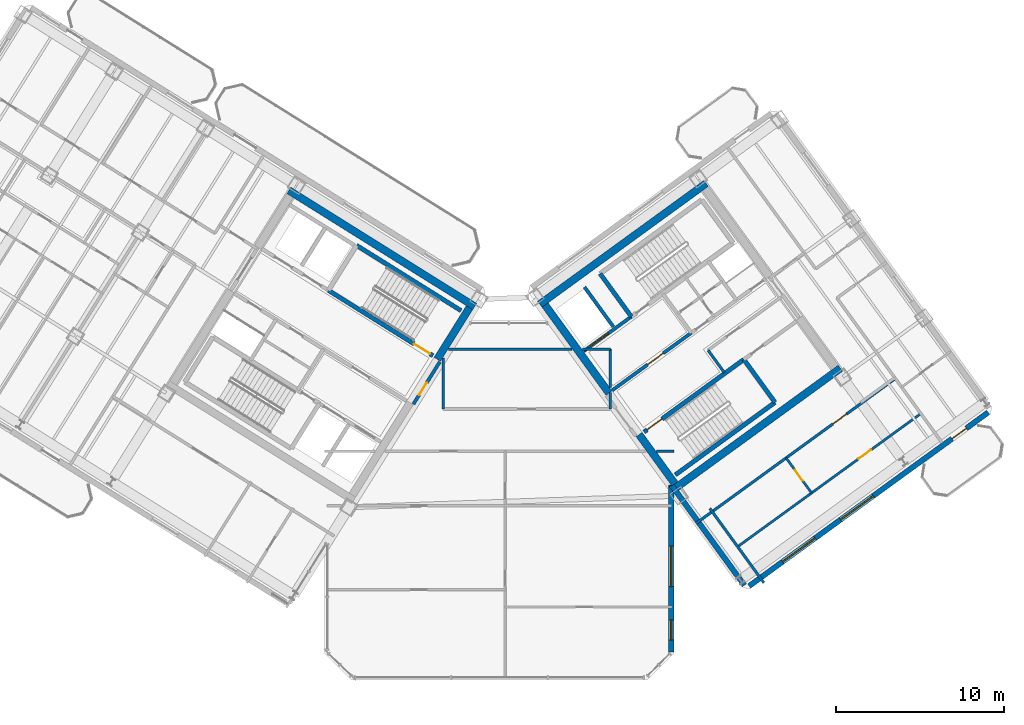
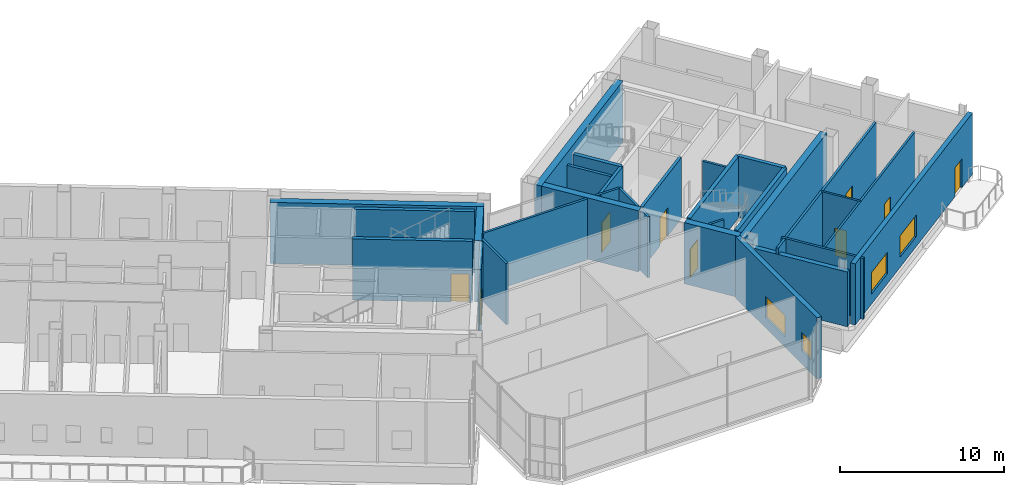
# One storey, part 19 of 26: 30 walls, 9 doors, 4 windows, 13 openings.
"""IFC4 building model written with IfcOpenShell, lengths in metres."""

import ifcopenshell
import ifcopenshell.guid

model = None  # the IFC model being written
_history = None  # IfcOwnerHistory: only IFC2X3 demands one
_inside = {}  # id of a spatial element -> (the spatial element, [elements in it])
_under = {}  # id of a project, library or spatial element -> (it, [spatial elements below it])
_declared = {}  # id of a project -> (the project, [libraries it declares])
_typed = {}  # id of a type object -> (the type object, [elements of that type])
_made_of = {}  # id of a material, layer set ... -> (it, [elements and type objects made of it])


def new_model(schema):
    """Start an empty IFC model of exactly this schema.

    Asked for "IFC4X3", IfcOpenShell would pick the latest addendum, in which some entities
    have other attributes; the version numbers below select the first issue.
    IFC2X3 requires an IfcOwnerHistory on every rooted entity: one is made here for all.
    """
    global model, _history
    if schema == "IFC4X3":
        model = ifcopenshell.file(schema_version=(4, 3, 0, 0))
    else:
        model = ifcopenshell.file(schema=schema)
    _inside.clear()
    _under.clear()
    _declared.clear()
    _typed.clear()
    _made_of.clear()
    _history = None
    if model.schema == "IFC2X3":
        org = make("IfcOrganization", Name="unknown")
        user = make(
            "IfcPersonAndOrganization",
            ThePerson=make("IfcPerson", FamilyName="unknown"),
            TheOrganization=org,
        )
        app = make(
            "IfcApplication",
            ApplicationDeveloper=org,
            Version="unknown",
            ApplicationFullName="unknown",
            ApplicationIdentifier="unknown",
        )
        _history = make(
            "IfcOwnerHistory",
            OwningUser=user,
            OwningApplication=app,
            ChangeAction="ADDED",
            CreationDate=0,
        )
    return model


def make(cls, **values):
    """One entity of the class cls with the attributes given. An attribute that is None is left unset."""
    return model.create_entity(
        cls, **{name: value for name, value in values.items() if value is not None}
    )


def rooted(cls, **values):
    """An entity with a GlobalId (a new one), such as an element, a storey or a relation."""
    return make(cls, GlobalId=ifcopenshell.guid.new(), OwnerHistory=_history, **values)


def si_unit(unit_type, name, prefix=None):
    """IfcSIUnit, for example si_unit("LENGTHUNIT", "METRE", prefix="MILLI")."""
    return make("IfcSIUnit", UnitType=unit_type, Prefix=prefix, Name=name)


def assignment(units):
    """IfcUnitAssignment: the units of a project."""
    return None if units is None else make("IfcUnitAssignment", Units=units)


def point(xyz):
    """IfcCartesianPoint."""
    return None if xyz is None else make("IfcCartesianPoint", Coordinates=xyz)


def direction(xyz):
    """IfcDirection."""
    return None if xyz is None else make("IfcDirection", DirectionRatios=xyz)


def frame(location, z_axis=None, x_axis=None):
    """IfcAxis2Placement3D, a coordinate frame: its origin and axes. An axis left out is left unset."""
    return make(
        "IfcAxis2Placement3D",
        Location=point(location),
        Axis=direction(z_axis),
        RefDirection=direction(x_axis),
    )


def frame_2d(location, x_axis=None):
    """IfcAxis2Placement2D, a coordinate frame in the plane: its origin and x axis."""
    return make(
        "IfcAxis2Placement2D", Location=point(location), RefDirection=direction(x_axis)
    )


def origin():
    """The frame at (0, 0, 0) with its axes left unset."""
    return frame((0.0, 0.0, 0.0))


def place(relative_to, where):
    """IfcLocalPlacement: puts the frame where relative to a parent placement (None: the world)."""
    return make(
        "IfcLocalPlacement", PlacementRelTo=relative_to, RelativePlacement=where
    )


def context(
    kind, dimensions, precision=None, world=None, true_north=None, identifier=None
):
    """IfcGeometricRepresentationContext, for example the 3D "Model" context."""
    return make(
        "IfcGeometricRepresentationContext",
        ContextIdentifier=identifier,
        ContextType=kind,
        CoordinateSpaceDimension=dimensions,
        Precision=precision,
        WorldCoordinateSystem=world,
        TrueNorth=true_north,
    )


def subcontext(parent, identifier, kind, view, scale=None):
    """IfcGeometricRepresentationSubContext, for example "Body" below "Model"."""
    return make(
        "IfcGeometricRepresentationSubContext",
        ContextIdentifier=identifier,
        ContextType=kind,
        ParentContext=parent,
        TargetScale=scale,
        TargetView=view,
    )


def project(units=None, contexts=None):
    """IfcProject with its units and contexts."""
    return rooted(
        "IfcProject",
        Name="project",
        RepresentationContexts=contexts,
        UnitsInContext=assignment(units),
    )


def spatial(cls, under=None, at=None, **own):
    """A site, building, storey or space (cls), placed at a placement, below another one or the project."""
    s = rooted(cls, ObjectPlacement=at, **own)
    if under is not None:
        _under.setdefault(under.id(), (under, []))[1].append(s)
    return s


def profile(cls, at=None, kind="AREA", **sizes):
    """A parametric profile (cls). Its sizes go by their IFC names, for example OverallWidth=200.0."""
    return make(cls, ProfileType=kind, Position=at, **sizes)


def rectangle(**sizes):
    """IfcRectangleProfileDef."""
    return profile("IfcRectangleProfileDef", **sizes)


def extrude(swept, where, along, depth):
    """IfcExtrudedAreaSolid: the profile swept, set in the frame where, extruded along a direction by depth."""
    return make(
        "IfcExtrudedAreaSolid",
        SweptArea=swept,
        Position=where,
        ExtrudedDirection=direction(along),
        Depth=depth,
    )


def shape(context_of_items, identifier, shape_type, items):
    """IfcShapeRepresentation: the items that make up one representation, for example the "Body"."""
    return make(
        "IfcShapeRepresentation",
        ContextOfItems=context_of_items,
        RepresentationIdentifier=identifier,
        RepresentationType=shape_type,
        Items=items,
    )


def source(mapping_origin, context_of_items, identifier, shape_type, items):
    """IfcRepresentationMap: a shape defined once, which mapped items show again and again."""
    return make(
        "IfcRepresentationMap",
        MappingOrigin=mapping_origin,
        MappedRepresentation=shape(context_of_items, identifier, shape_type, items),
    )


def transform(
    local_origin,
    x_axis=None,
    y_axis=None,
    z_axis=None,
    scale=None,
    scale2=None,
    scale3=None,
    uniform=True,
):
    """IfcCartesianTransformationOperator3D, or its non-uniform kind. x_axis, y_axis, z_axis: its Axis1, 2, 3."""
    if uniform:
        return make(
            "IfcCartesianTransformationOperator3D",
            Axis1=direction(x_axis),
            Axis2=direction(y_axis),
            LocalOrigin=point(local_origin),
            Scale=scale,
            Axis3=direction(z_axis),
        )
    return make(
        "IfcCartesianTransformationOperator3DnonUniform",
        Axis1=direction(x_axis),
        Axis2=direction(y_axis),
        LocalOrigin=point(local_origin),
        Scale=scale,
        Axis3=direction(z_axis),
        Scale2=scale2,
        Scale3=scale3,
    )


def mapped(mapping_source, mapping_target):
    """IfcMappedItem: shows the shape of a source again, moved by a transform."""
    return make(
        "IfcMappedItem", MappingSource=mapping_source, MappingTarget=mapping_target
    )


def material(Name=None, Category=None):
    """IfcMaterial."""
    return make("IfcMaterial", Name=Name, Category=Category)


def layer(
    of_material, thickness, ventilated=None, Name=None, Category=None, Priority=None
):
    """IfcMaterialLayer: one layer of a wall or slab, of a material (None: an air gap)."""
    return make(
        "IfcMaterialLayer",
        Material=of_material,
        LayerThickness=thickness,
        IsVentilated=ventilated,
        Name=Name,
        Category=Category,
        Priority=Priority,
    )


def layer_set(layers, Name=None):
    """IfcMaterialLayerSet."""
    return make("IfcMaterialLayerSet", MaterialLayers=layers, LayerSetName=Name)


def made_of(thing, what):
    """Note that an element or type object is made of a material, layer set ...; save() writes the relation."""
    if what is not None:
        _made_of.setdefault(what.id(), (what, []))[1].append(thing)
    return thing


def type_object(cls, material=None, **own):
    """A type object (cls), such as IfcWallType, which elements share."""
    return made_of(rooted(cls, **own), material)


def element(
    cls,
    number,
    at=None,
    inside=None,
    cuts=None,
    type_object=None,
    material=None,
    context=None,
    identifier="Body",
    shape_type=None,
    held_by="IfcProductDefinitionShape",
    body=None,
    shapes=None,
    **own,
):
    """One element of the class cls, such as IfcWall. Its Tag is "e" and its number.

    at: its placement. inside: the storey or other place that contains it. cuts: it is an
    opening in that element (IfcRelVoidsElement). A single representation is given by context,
    identifier, shape_type and body (its items); several are given by shapes. held_by: the class
    of the entity that holds the representations. save() writes the other relations.
    """
    e = rooted(cls, Tag="e%d" % number, ObjectPlacement=at, **own)
    if body is not None:
        shapes = [shape(context, identifier, shape_type, body)]
    if shapes is not None:
        e.Representation = make(held_by, Representations=shapes)
    if inside is not None:
        _inside.setdefault(inside.id(), (inside, []))[1].append(e)
    if cuts is not None:
        rooted(
            "IfcRelVoidsElement", RelatingBuildingElement=cuts, RelatedOpeningElement=e
        )
    if type_object is not None:
        _typed.setdefault(type_object.id(), (type_object, []))[1].append(e)
    return made_of(e, material)


def fill(opening, filler):
    """IfcRelFillsElement: the door or window that sits in an opening."""
    return rooted(
        "IfcRelFillsElement",
        RelatingOpeningElement=opening,
        RelatedBuildingElement=filler,
    )


def aggregate(whole, parts):
    """IfcRelAggregates: a whole, such as a stair, and the parts it consists of."""
    return rooted("IfcRelAggregates", RelatingObject=whole, RelatedObjects=parts)


def save(model, path):
    """Write the relations noted so far, then the file.

    IfcRelAggregates (storeys below a building ...), IfcRelContainedInSpatialStructure (elements
    in a storey), IfcRelDefinesByType, IfcRelAssociatesMaterial and IfcRelDeclares: one each for
    every whole, place, type object, material and project.
    """
    for whole, parts in _under.values():
        aggregate(whole, parts)
    for where, things in _inside.values():
        rooted(
            "IfcRelContainedInSpatialStructure",
            RelatedElements=things,
            RelatingStructure=where,
        )
    for kind, things in _typed.values():
        rooted("IfcRelDefinesByType", RelatedObjects=things, RelatingType=kind)
    for what, things in _made_of.values():
        rooted("IfcRelAssociatesMaterial", RelatedObjects=things, RelatingMaterial=what)
    for by, libraries in _declared.values():
        rooted("IfcRelDeclares", RelatingContext=by, RelatedDefinitions=libraries)
    model.write(path)


model = new_model("IFC4")

# Units and contexts
model_context = context("Model", 3, precision=1e-05, world=origin(), true_north=direction((0.0, 1.0)))
body_context = subcontext(model_context, "Body", "Model", "MODEL_VIEW")
ifc_project = project(units=[si_unit("LENGTHUNIT", "METRE"), si_unit("AREAUNIT", "SQUARE_METRE"), si_unit("VOLUMEUNIT", "CUBIC_METRE"), si_unit("PLANEANGLEUNIT", "RADIAN"), si_unit("MASSUNIT", "GRAM", prefix="KILO")], contexts=[model_context])

# Site, building, storey
site_placement = place(None, origin())
site = spatial("IfcSite", under=ifc_project, at=site_placement, CompositionType="ELEMENT")
building_placement = place(site_placement, origin())
building = spatial("IfcBuilding", under=site, at=building_placement, Name="Tlacorven Tower", CompositionType="ELEMENT")
storey_placement = place(building_placement, frame((0.0, 0.0, 233.699951171875)))
storey = spatial("IfcBuildingStorey", under=building, at=storey_placement, Name="L59", CompositionType="ELEMENT", Elevation=233.699951171875)

# Walls
ifc_material_1 = material(Name="Concrete C50/60", Category="concrete")
ifc_layer_1 = layer(ifc_material_1, 0.449951171875)
ifc_layer_set_1 = layer_set([ifc_layer_1], Name="Concrete C50/60")
wall_type_1 = type_object("IfcWallType", Name="WL-COR-450", PredefinedType="SHEAR", material=ifc_layer_set_1)
wall_1_placement = place(storey_placement, frame((40.53076171875, 24.036376953125, 0.0), z_axis=(0.0, 0.0, 1.0), x_axis=(-0.848048787466, 0.529918157905, 0.0)))
element("IfcWall", 1, at=wall_1_placement, inside=storey, type_object=wall_type_1, Name="L59 W core shear wall S1", PredefinedType="SHEAR", context=body_context, shape_type="SweptSolid", body=[
    extrude(rectangle(XDim=13.0400390625, YDim=0.449951171875, at=frame_2d((6.52001953125, 0.0))), origin(), (0.0, 0.0, 1.0), 4.550048828125),
])
wall_2_placement = place(storey_placement, frame((40.220703125, 23.96484375, 0.0), z_axis=(0.0, 0.0, 1.0), x_axis=(-0.529902075036, -0.848058836916, 0.0)))
element("IfcWall", 2, at=wall_2_placement, inside=storey, type_object=wall_type_1, Name="L59 W core end wall E1.1", PredefinedType="SHEAR", context=body_context, shape_type="SweptSolid", body=[
    extrude(rectangle(XDim=3.625, YDim=0.449951171875, at=frame_2d((1.8125, 0.0))), origin(), (0.0, 0.0, 1.0), 4.550048828125),
])
for number, where, z_axis, x_axis, name in (
    (3, (52.3994140625, 13.169189453125, 0.0), (0.0, 0.0, 1.0), (0.809022352778, 0.587777877013, 0.0), "L59 E core shear wall S1"),
    (4, (44.405517578125, 24.171630859375, 0.0), (0.0, 0.0, 1.0), (0.809012867805, 0.587790931986, 0.0), "L59 E core shear wall S2"),
):
    element("IfcWall", number, at=place(storey_placement, frame(where, z_axis=z_axis, x_axis=x_axis)), inside=storey, type_object=wall_type_1, Name=name, PredefinedType="SHEAR", context=body_context, shape_type="SweptSolid", body=[
        extrude(rectangle(XDim=12.239990234375, YDim=0.449951171875, at=frame_2d((6.1201171875, 0.0))), origin(), (0.0, 0.0, 1.0), 4.550048828125),
    ])
wall_3_placement = place(storey_placement, frame((52.44921875, 13.4833984375, 0.0), z_axis=(0.0, 0.0, 1.0), x_axis=(-0.587819244441, 0.808992296542, 0.0)))
element("IfcWall", 5, at=wall_3_placement, inside=storey, type_object=wall_type_1, Name="L59 E core end wall E1.1", PredefinedType="SHEAR", context=body_context, shape_type="SweptSolid", body=[
    extrude(rectangle(XDim=3.625, YDim=0.449951171875, at=frame_2d((1.8125, 0.0))), origin(), (0.0, 0.0, 1.0), 4.550048828125),
])
wall_4_placement = place(storey_placement, frame((48.525634765625, 18.883544921875, 0.0), z_axis=(0.0, 0.0, 1.0), x_axis=(-0.587774812919, 0.809024578921, 0.0)))
element("IfcWall", 6, at=wall_4_placement, inside=storey, type_object=wall_type_1, Name="L59 E core end wall E1.2", PredefinedType="SHEAR", context=body_context, shape_type="SweptSolid", body=[
    extrude(rectangle(XDim=6.47509765625, YDim=0.449951171875, at=frame_2d((3.237548828125, 0.0))), origin(), (0.0, 0.0, 1.0), 4.550048828125),
])
ifc_material_2 = material(Name="Gypsum plasterboard acoustic partition", Category="gypsum")
ifc_layer_2 = layer(ifc_material_2, 0.159912109375)
ifc_layer_set_2 = layer_set([ifc_layer_2], Name="Gypsum plasterboard acoustic partition")
wall_type_2 = type_object("IfcWallType", Name="WL-DEM-160", PredefinedType="PARTITIONING", material=ifc_layer_set_2)
wall_5_placement = place(storey_placement, frame((55.390869140625, 20.1015625, 0.0), z_axis=(0.0, 0.0, 1.0), x_axis=(-0.58778447739, 0.809017557374, 0.0)))
element("IfcWall", 7, at=wall_5_placement, inside=storey, type_object=wall_type_2, Name="L59 partition 30", PredefinedType="PARTITIONING", context=body_context, shape_type="SweptSolid", body=[
    extrude(rectangle(XDim=1.64990234375, YDim=0.159912109375, at=frame_2d((0.824951171875, 0.0))), origin(), (0.0, 0.0, 1.0), 4.5400390625),
])
wall_6_placement = place(storey_placement, frame((51.353515625, 15.419921875, 0.0), z_axis=(0.0, 0.0, 1.0), x_axis=(1.0, 0.0, 0.0)))
element("IfcWall", 8, at=wall_6_placement, inside=storey, type_object=wall_type_2, Name="L59 Knuckle Corridor South Wall", PredefinedType="PARTITIONING", context=body_context, shape_type="SweptSolid", body=[
    extrude(rectangle(XDim=1.04638671875, YDim=0.159912109375, at=frame_2d((0.523193359375, 0.0))), origin(), (0.0, 0.0, 1.0), 4.5400390625),
])
wall_7_placement = place(storey_placement, frame((38.64990234375, 17.929931640625, 0.0), z_axis=(0.0, 0.0, 1.0), x_axis=(0.0, 1.0, 0.0)))
element("IfcWall", 9, at=wall_7_placement, inside=storey, type_object=wall_type_2, Name="L59 partition 69", PredefinedType="PARTITIONING", context=body_context, shape_type="SweptSolid", body=[
    extrude(rectangle(XDim=3.045654296875, YDim=0.159912109375, at=frame_2d((1.52294921875, 0.0))), origin(), (0.0, 0.0, 1.0), 4.5400390625),
])
wall_8_placement = place(storey_placement, frame((48.60009765625, 17.929931640625, 0.0), z_axis=(0.0, 0.0, 1.0), x_axis=(0.0, 1.0, 0.0)))
element("IfcWall", 10, at=wall_8_placement, inside=storey, type_object=wall_type_2, Name="L59 partition 70", PredefinedType="PARTITIONING", context=body_context, shape_type="SweptSolid", body=[
    extrude(rectangle(XDim=0.99267578125, YDim=0.159912109375, at=frame_2d((0.496337890625, 0.0))), origin(), (0.0, 0.0, 1.0), 4.5400390625),
])
wall_9_placement = place(storey_placement, frame((48.60009765625, 19.2099609375, 0.0), z_axis=(0.0, 0.0, 1.0), x_axis=(0.0, 1.0, 0.0)))
element("IfcWall", 11, at=wall_9_placement, inside=storey, type_object=wall_type_2, Name="L59 partition 70", PredefinedType="PARTITIONING", context=body_context, shape_type="SweptSolid", body=[
    extrude(rectangle(XDim=2.2900390625, YDim=0.159912109375, at=frame_2d((1.14501953125, 0.0))), origin(), (0.0, 0.0, 1.0), 4.5400390625),
])
wall_10_placement = place(storey_placement, frame((38.9775390625, 21.5, 0.0), z_axis=(0.0, 0.0, 1.0), x_axis=(1.0, 0.0, 0.0)))
element("IfcWall", 12, at=wall_10_placement, inside=storey, type_object=wall_type_2, Name="L59 partition 71", PredefinedType="PARTITIONING", context=body_context, shape_type="SweptSolid", body=[
    extrude(rectangle(XDim=7.335693359375, YDim=0.159912109375, at=frame_2d((3.66796875, 0.0))), origin(), (0.0, 0.0, 1.0), 4.5400390625),
])
wall_11_placement = place(storey_placement, frame((46.936279296875, 21.5, 0.0), z_axis=(0.0, 0.0, 1.0), x_axis=(1.0, 0.0, 0.0)))
element("IfcWall", 13, at=wall_11_placement, inside=storey, type_object=wall_type_2, Name="L59 partition 71", PredefinedType="PARTITIONING", context=body_context, shape_type="SweptSolid", body=[
    extrude(rectangle(XDim=1.663818359375, YDim=0.159912109375, at=frame_2d((0.83203125, 0.0))), origin(), (0.0, 0.0, 1.0), 4.5400390625),
])

# Wall, opening, door
wall_12_placement = place(storey_placement, frame((53.70458984375, 11.1259765625, 0.0), z_axis=(0.0, 0.0, 1.0), x_axis=(0.809014504436, 0.587788679384, 0.0)))
wall_12 = element("IfcWall", 14, at=wall_12_placement, inside=storey, type_object=wall_type_2, Name="L59 partition 87", PredefinedType="PARTITIONING", context=body_context, shape_type="SweptSolid", body=[
    extrude(rectangle(XDim=14.669921875, YDim=0.159912109375, at=frame_2d((7.3349609375, 0.0))), origin(), (0.0, 0.0, 1.0), 4.5400390625),
])
opening_1_placement = place(wall_12_placement, frame((10.080078125, 0.0, 0.0)))
opening_1 = element("IfcOpeningElement", 15, at=opening_1_placement, cuts=wall_12, Name="Opening D11", PredefinedType="OPENING", context=body_context, shape_type="SweptSolid", body=[
    extrude(rectangle(XDim=1.0, YDim=2.10009765625, at=frame_2d((0.5, 1.050048828125))), frame((0.0, 0.08984375, 0.0), z_axis=(0.0, -1.0, 0.0), x_axis=(1.0, 0.0, 0.0)), (0.0, 0.0, 1.0), 0.179931640625),
])
ifc_material_3 = material(Name="Fire-rated steel door assembly", Category="steel")
door_type_1 = type_object("IfcDoorType", Name="DR-FLT-FD60-1000", OperationType="NOTDEFINED", PredefinedType="DOOR", material=ifc_material_3)
shared_shape_1 = source(origin(), body_context, "Body", "SweptSolid", [
    extrude(rectangle(XDim=1.0, YDim=2.10009765625, at=frame_2d((0.5, 1.050048828125))), frame((0.0, 0.02490234375, 0.0), z_axis=(0.0, -1.0, 0.0), x_axis=(1.0, 0.0, 0.0)), (0.0, 0.0, 1.0), 0.050048828125),
])
door_1_placement = place(opening_1_placement, origin())
door_1 = element("IfcDoor", 16, at=door_1_placement, inside=storey, type_object=door_type_1, Name="L59 door 058", OperationType="SINGLE_SWING_LEFT", OverallHeight=2.10009765625, OverallWidth=1.0, PredefinedType="DOOR", context=body_context, shape_type="MappedRepresentation", body=[
    mapped(shared_shape_1, transform((0.0, 0.0, 0.0), scale=1.0)),
])
fill(opening_1, door_1)

# Wall
wall_13_placement = place(storey_placement, frame((57.747314453125, 7.586181640625, 0.0), z_axis=(0.0, 0.0, 1.0), x_axis=(-0.587784893399, 0.809017255126, 0.0)))
element("IfcWall", 17, at=wall_13_placement, inside=storey, type_object=wall_type_2, Name="L59 EC West Throat Wall", PredefinedType="PARTITIONING", context=body_context, shape_type="SweptSolid", body=[
    extrude(rectangle(XDim=5.480224609375, YDim=0.159912109375, at=frame_2d((2.740234375, 0.0))), origin(), (0.0, 0.0, 1.0), 4.5400390625),
])

# Wall, openings, door, windows
ifc_material_4 = material(Name="Precast concrete C45/55", Category="concrete")
ifc_layer_3 = layer(ifc_material_4, 0.320068359375)
ifc_layer_set_3 = layer_set([ifc_layer_3], Name="Precast concrete C45/55")
wall_type_3 = type_object("IfcWallType", Name="WL-EXT-320", PredefinedType="STANDARD", material=ifc_layer_set_3)
wall_14_placement = place(storey_placement, frame((71.097900390625, 17.73095703125, 0.0), z_axis=(0.0, 0.0, 1.0), x_axis=(-0.809021120468, -0.587779573171, 0.0)))
wall_14 = element("IfcWall", 18, at=wall_14_placement, inside=storey, type_object=wall_type_3, Name="L59 Masonry-Frame Recessed Facade Wall 6", PredefinedType="STANDARD", context=body_context, shape_type="SweptSolid", body=[
    extrude(rectangle(XDim=17.587646484375, YDim=0.320068359375, at=frame_2d((8.7939453125, 0.0))), origin(), (0.0, 0.0, 1.0), 4.550048828125),
])
opening_2_placement = place(wall_14_placement, frame((1.611083984375, 0.0, 0.0)))
opening_2 = element("IfcOpeningElement", 19, at=opening_2_placement, cuts=wall_14, Name="Opening D06", PredefinedType="OPENING", context=body_context, shape_type="SweptSolid", body=[
    extrude(rectangle(XDim=1.050048828125, YDim=2.14990234375, at=frame_2d((0.52490234375, 1.074951171875))), frame((0.0, 0.169921875, 0.0), z_axis=(0.0, -1.0, 0.0), x_axis=(1.0, 0.0, 0.0)), (0.0, 0.0, 1.0), 0.340087890625),
])
opening_3_placement = place(wall_14_placement, frame((8.456298828125, 0.0, 0.75)))
opening_3 = element("IfcOpeningElement", 20, at=opening_3_placement, cuts=wall_14, Name="Opening WN06", PredefinedType="OPENING", context=body_context, shape_type="SweptSolid", body=[
    extrude(rectangle(XDim=2.39990234375, YDim=1.60009765625, at=frame_2d((1.199951171875, 0.800048828125))), frame((0.0, 0.169921875, 0.0), z_axis=(0.0, -1.0, 0.0), x_axis=(1.0, 0.0, 0.0)), (0.0, 0.0, 1.0), 0.340087890625),
])
opening_4_placement = place(wall_14_placement, frame((12.731201171875, 0.0, 0.75)))
opening_4 = element("IfcOpeningElement", 21, at=opening_4_placement, cuts=wall_14, Name="Opening WN06", PredefinedType="OPENING", context=body_context, shape_type="SweptSolid", body=[
    extrude(rectangle(XDim=2.39990234375, YDim=1.60009765625, at=frame_2d((1.199951171875, 0.800048828125))), frame((0.0, 0.169921875, 0.0), z_axis=(0.0, -1.0, 0.0), x_axis=(1.0, 0.0, 0.0)), (0.0, 0.0, 1.0), 0.340087890625),
])
ifc_material_5 = material(Name="Powder-coated aluminium and timber door", Category="wood")
door_type_2 = type_object("IfcDoorType", Name="DR-EXT-BALC-1050", OperationType="NOTDEFINED", PredefinedType="DOOR", material=ifc_material_5)
shared_shape_2 = source(origin(), body_context, "Body", "SweptSolid", [
    extrude(rectangle(XDim=1.050048828125, YDim=2.14990234375, at=frame_2d((0.52490234375, 1.074951171875))), frame((0.0, 0.02490234375, 0.0), z_axis=(0.0, -1.0, 0.0), x_axis=(1.0, 0.0, 0.0)), (0.0, 0.0, 1.0), 0.050048828125),
])
door_2_placement = place(opening_2_placement, origin())
door_2 = element("IfcDoor", 22, at=door_2_placement, inside=storey, type_object=door_type_2, Name="L59 Outdoor Access Door BAL-L59-E-OUT", OperationType="SINGLE_SWING_LEFT", OverallHeight=2.14990234375, OverallWidth=1.050048828125, PredefinedType="DOOR", context=body_context, shape_type="MappedRepresentation", body=[
    mapped(shared_shape_2, transform((0.0, 0.0, 0.0), scale=1.0)),
])
fill(opening_2, door_2)
ifc_material_6 = material(Name="Dark solar low-E double glazing in anodised aluminium frame", Category="aluminium")
window_type_1 = type_object("IfcWindowType", Name="WN-APT-2400X1800", PartitioningType="SINGLE_PANEL", PredefinedType="WINDOW", material=ifc_material_6)
shared_shape_3 = source(origin(), body_context, "Body", "SweptSolid", [
    extrude(rectangle(XDim=2.39990234375, YDim=1.60009765625, at=frame_2d((1.199951171875, 0.800048828125))), frame((0.0, 0.030029296875, 0.0), z_axis=(0.0, -1.0, 0.0), x_axis=(1.0, 0.0, 0.0)), (0.0, 0.0, 1.0), 0.06005859375),
])
window_1_placement = place(opening_3_placement, origin())
window_1 = element("IfcWindow", 23, at=window_1_placement, inside=storey, type_object=window_type_1, Name="L59 Recessed Masonry-Frame Window L59-06.1", OverallHeight=1.60009765625, OverallWidth=2.39990234375, PartitioningType="SINGLE_PANEL", PredefinedType="WINDOW", context=body_context, shape_type="MappedRepresentation", body=[
    mapped(shared_shape_3, transform((0.0, 0.0, 0.0), scale=1.0)),
])
fill(opening_3, window_1)
window_2_placement = place(opening_4_placement, origin())
window_2 = element("IfcWindow", 24, at=window_2_placement, inside=storey, type_object=window_type_1, Name="L59 Recessed Masonry-Frame Window L59-06.2", OverallHeight=1.60009765625, OverallWidth=2.39990234375, PartitioningType="SINGLE_PANEL", PredefinedType="WINDOW", context=body_context, shape_type="MappedRepresentation", body=[
    mapped(shared_shape_3, transform((0.0, 0.0, 0.0), scale=1.0)),
])
fill(opening_4, window_2)

# Wall
wall_15_placement = place(storey_placement, frame((56.5810546875, 7.43896484375, 0.0), z_axis=(0.0, 0.0, 1.0), x_axis=(-0.587776558368, 0.809023310809, 0.0)))
element("IfcWall", 25, at=wall_15_placement, inside=storey, type_object=wall_type_3, Name="L59 Masonry-Frame Recessed Facade Wall 7", PredefinedType="STANDARD", context=body_context, shape_type="SweptSolid", body=[
    extrude(rectangle(XDim=7.385498046875, YDim=0.320068359375, at=frame_2d((3.69287109375, 0.0))), origin(), (0.0, 0.0, 1.0), 4.074951171875),
])

# Wall, openings, windows
wall_16_placement = place(storey_placement, frame((52.239990234375, 13.4140625, 0.0), z_axis=(0.0, 0.0, 1.0), x_axis=(0.0, -1.0, 0.0)))
wall_16 = element("IfcWall", 26, at=wall_16_placement, inside=storey, type_object=wall_type_3, Name="L59 Masonry-Frame Recessed Facade Wall 8", PredefinedType="STANDARD", context=body_context, shape_type="SweptSolid", body=[
    extrude(rectangle(XDim=9.94775390625, YDim=0.320068359375, at=frame_2d((4.973876953125, 0.0))), origin(), (0.0, 0.0, 1.0), 4.550048828125),
])
opening_5_placement = place(wall_16_placement, frame((3.64697265625, 0.0, 0.75)))
opening_5 = element("IfcOpeningElement", 27, at=opening_5_placement, cuts=wall_16, Name="Opening WN06", PredefinedType="OPENING", context=body_context, shape_type="SweptSolid", body=[
    extrude(rectangle(XDim=2.39990234375, YDim=1.60009765625, at=frame_2d((1.199951171875, 0.800048828125))), frame((0.0, 0.169921875, 0.0), z_axis=(0.0, -1.0, 0.0), x_axis=(1.0, 0.0, 0.0)), (0.0, 0.0, 1.0), 0.340087890625),
])
opening_6_placement = place(wall_16_placement, frame((8.033447265625, 0.0, 0.949951171875)))
opening_6 = element("IfcOpeningElement", 28, at=opening_6_placement, cuts=wall_16, Name="Opening WN03", PredefinedType="OPENING", context=body_context, shape_type="SweptSolid", body=[
    extrude(rectangle(XDim=1.199951171875, YDim=1.39990234375, at=frame_2d((0.60009765625, 0.699951171875))), frame((0.0, 0.169921875, 0.0), z_axis=(0.0, -1.0, 0.0), x_axis=(1.0, 0.0, 0.0)), (0.0, 0.0, 1.0), 0.340087890625),
])
window_type_2 = type_object("IfcWindowType", Name="WN-APT-1200X1500", PartitioningType="SINGLE_PANEL", PredefinedType="WINDOW", material=ifc_material_6)
shared_shape_4 = source(origin(), body_context, "Body", "SweptSolid", [
    extrude(rectangle(XDim=1.199951171875, YDim=1.39990234375, at=frame_2d((0.60009765625, 0.699951171875))), frame((0.0, 0.030029296875, 0.0), z_axis=(0.0, -1.0, 0.0), x_axis=(1.0, 0.0, 0.0)), (0.0, 0.0, 1.0), 0.06005859375),
])
window_3_placement = place(opening_6_placement, origin())
window_3 = element("IfcWindow", 29, at=window_3_placement, inside=storey, type_object=window_type_2, Name="L59 Recessed Masonry-Frame Window L59-08.2", OverallHeight=1.39990234375, OverallWidth=1.199951171875, PartitioningType="SINGLE_PANEL", PredefinedType="WINDOW", context=body_context, shape_type="MappedRepresentation", body=[
    mapped(shared_shape_4, transform((0.0, 0.0, 0.0), scale=1.0)),
])
fill(opening_6, window_3)
window_4_placement = place(opening_5_placement, origin())
window_4 = element("IfcWindow", 30, at=window_4_placement, inside=storey, type_object=window_type_1, Name="L59 Recessed Masonry-Frame Window L59-08.1", OverallHeight=1.60009765625, OverallWidth=2.39990234375, PartitioningType="SINGLE_PANEL", PredefinedType="WINDOW", context=body_context, shape_type="MappedRepresentation", body=[
    mapped(shared_shape_3, transform((0.0, 0.0, 0.0), scale=1.0)),
])
fill(opening_5, window_4)

# Wall, opening, door
ifc_material_7 = material(Name="Moisture-resistant gypsum plumbing wall", Category="gypsum")
ifc_layer_4 = layer(ifc_material_7, 0.139892578125)
ifc_layer_set_4 = layer_set([ifc_layer_4], Name="Moisture-resistant gypsum plumbing wall")
wall_type_4 = type_object("IfcWallType", Name="WL-PLM-140", PredefinedType="PLUMBINGWALL", material=ifc_layer_set_4)
wall_17_placement = place(storey_placement, frame((56.24853515625, 9.78515625, 0.0), z_axis=(0.0, 0.0, 1.0), x_axis=(0.809011747655, 0.587792473715, 0.0)))
wall_17 = element("IfcWall", 31, at=wall_17_placement, inside=storey, type_object=wall_type_4, Name="L59 partition 89", PredefinedType="PLUMBINGWALL", context=body_context, shape_type="SweptSolid", body=[
    extrude(rectangle(XDim=13.400146484375, YDim=0.139892578125, at=frame_2d((6.7001953125, 0.0))), origin(), (0.0, 0.0, 1.0), 4.5400390625),
])
opening_7_placement = place(wall_17_placement, frame((8.820068359375, 0.0, 0.0)))
opening_7 = element("IfcOpeningElement", 32, at=opening_7_placement, cuts=wall_17, Name="Opening D12", PredefinedType="OPENING", context=body_context, shape_type="SweptSolid", body=[
    extrude(rectangle(XDim=0.919921875, YDim=2.080078125, at=frame_2d((0.4599609375, 1.0400390625))), frame((0.0, 0.080078125, 0.0), z_axis=(0.0, -1.0, 0.0), x_axis=(1.0, 0.0, 0.0)), (0.0, 0.0, 1.0), 0.159912109375),
])
door_type_3 = type_object("IfcDoorType", Name="DR-INT-ROOM-0920", OperationType="NOTDEFINED", PredefinedType="DOOR", material=ifc_material_5)
shared_shape_5 = source(origin(), body_context, "Body", "SweptSolid", [
    extrude(rectangle(XDim=0.919921875, YDim=2.080078125, at=frame_2d((0.4599609375, 1.0400390625))), frame((0.0, 0.02490234375, 0.0), z_axis=(0.0, -1.0, 0.0), x_axis=(1.0, 0.0, 0.0)), (0.0, 0.0, 1.0), 0.050048828125),
])
door_3_placement = place(opening_7_placement, origin())
door_3 = element("IfcDoor", 33, at=door_3_placement, inside=storey, type_object=door_type_3, Name="L59 door 059", OperationType="SINGLE_SWING_RIGHT", OverallHeight=2.080078125, OverallWidth=0.919921875, PredefinedType="DOOR", context=body_context, shape_type="MappedRepresentation", body=[
    mapped(shared_shape_5, transform((0.0, 0.0, 0.0), scale=1.0)),
])
fill(opening_7, door_3)

wall_18_placement = place(storey_placement, frame((60.584716796875, 12.935791015625, 0.0), z_axis=(0.0, 0.0, 1.0), x_axis=(-0.587772116736, 0.809026537752, 0.0)))
wall_18 = element("IfcWall", 34, at=wall_18_placement, inside=storey, type_object=wall_type_4, Name="L59 partition 90", PredefinedType="PLUMBINGWALL", context=body_context, shape_type="SweptSolid", body=[
    extrude(rectangle(XDim=2.579833984375, YDim=0.139892578125, at=frame_2d((1.2900390625, 0.0))), origin(), (0.0, 0.0, 1.0), 4.5400390625),
])
opening_8_placement = place(wall_18_placement, frame((0.89990234375, 0.0, 0.0)))
opening_8 = element("IfcOpeningElement", 35, at=opening_8_placement, cuts=wall_18, Name="Opening D22", PredefinedType="OPENING", context=body_context, shape_type="SweptSolid", body=[
    extrude(rectangle(XDim=0.780029296875, YDim=2.050048828125, at=frame_2d((0.39013671875, 1.02490234375))), frame((0.0, 0.080078125, 0.0), z_axis=(0.0, -1.0, 0.0), x_axis=(1.0, 0.0, 0.0)), (0.0, 0.0, 1.0), 0.159912109375),
])
door_type_4 = type_object("IfcDoorType", Name="DR-INT-WET-0780", OperationType="NOTDEFINED", PredefinedType="DOOR", material=ifc_material_5)
shared_shape_6 = source(origin(), body_context, "Body", "SweptSolid", [
    extrude(rectangle(XDim=0.780029296875, YDim=2.050048828125, at=frame_2d((0.39013671875, 1.02490234375))), frame((0.0, 0.02490234375, 0.0), z_axis=(0.0, -1.0, 0.0), x_axis=(1.0, 0.0, 0.0)), (0.0, 0.0, 1.0), 0.050048828125),
])
door_4_placement = place(opening_8_placement, origin())
door_4 = element("IfcDoor", 36, at=door_4_placement, inside=storey, type_object=door_type_4, Name="L59 door 060", OperationType="SINGLE_SWING_LEFT", OverallHeight=2.050048828125, OverallWidth=0.780029296875, PredefinedType="DOOR", context=body_context, shape_type="MappedRepresentation", body=[
    mapped(shared_shape_6, transform((0.0, 0.0, 0.0), scale=1.0)),
])
fill(opening_8, door_4)

ifc_material_8 = material(Name="Concrete C40/50", Category="concrete")
ifc_layer_5 = layer(ifc_material_8, 0.199951171875)
ifc_layer_set_5 = layer_set([ifc_layer_5], Name="Concrete C40/50")
wall_type_5 = type_object("IfcWallType", Name="WL-SHF-200", PredefinedType="STANDARD", material=ifc_layer_set_5)
wall_19_placement = place(storey_placement, frame((47.02490234375, 21.3779296875, 0.0), z_axis=(0.0, 0.0, 1.0), x_axis=(0.809052869724, 0.587735870941, 0.0)))
wall_19 = element("IfcWall", 37, at=wall_19_placement, inside=storey, type_object=wall_type_5, Name="L59 Core E Firefighting Lift Shaft Front Wall", PredefinedType="STANDARD", context=body_context, shape_type="SweptSolid", body=[
    extrude(rectangle(XDim=3.498046875, YDim=0.199951171875, at=frame_2d((1.7490234375, 0.0))), origin(), (0.0, 0.0, 1.0), 4.5400390625),
])
opening_9_placement = place(wall_19_placement, frame((0.508056640625, 0.0, 0.0)))
opening_9 = element("IfcOpeningElement", 38, at=opening_9_placement, cuts=wall_19, Name="Opening LD03", PredefinedType="OPENING", context=body_context, shape_type="SweptSolid", body=[
    extrude(rectangle(XDim=1.300048828125, YDim=2.199951171875, at=frame_2d((0.64990234375, 1.10009765625))), frame((0.0, 0.10986328125, 0.0), z_axis=(0.0, -1.0, 0.0), x_axis=(1.0, 0.0, 0.0)), (0.0, 0.0, 1.0), 0.219970703125),
])
door_type_5 = type_object("IfcDoorType", Name="DR-LFT-SLID-1300", OperationType="DOUBLE_DOOR_SLIDING", PredefinedType="DOOR", material=ifc_material_3)
shared_shape_7 = source(origin(), body_context, "Body", "SweptSolid", [
    extrude(rectangle(XDim=1.300048828125, YDim=2.199951171875, at=frame_2d((0.64990234375, 1.10009765625))), frame((0.0, 0.02490234375, 0.0), z_axis=(0.0, -1.0, 0.0), x_axis=(1.0, 0.0, 0.0)), (0.0, 0.0, 1.0), 0.050048828125),
])
door_5_placement = place(opening_9_placement, origin())
door_5 = element("IfcDoor", 39, at=door_5_placement, inside=storey, type_object=door_type_5, Name="L59 Lift FFL-E1 Sliding Landing Door", OperationType="DOUBLE_DOOR_SLIDING", OverallHeight=2.199951171875, OverallWidth=1.300048828125, PredefinedType="DOOR", context=body_context, shape_type="MappedRepresentation", body=[
    mapped(shared_shape_7, transform((0.0, 0.0, 0.0), scale=1.0)),
])
fill(opening_9, door_5)

wall_20_placement = place(storey_placement, frame((48.7177734375, 19.0478515625, 0.0), z_axis=(0.0, 0.0, 1.0), x_axis=(0.809017261719, 0.587784884325, 0.0)))
wall_20 = element("IfcWall", 40, at=wall_20_placement, inside=storey, type_object=wall_type_5, Name="L59 Core E Smoke Lobby Wall", PredefinedType="STANDARD", context=body_context, shape_type="SweptSolid", body=[
    extrude(rectangle(XDim=5.81787109375, YDim=0.199951171875, at=frame_2d((2.908935546875, 0.0))), origin(), (0.0, 0.0, 1.0), 4.5400390625),
])
opening_10_placement = place(wall_20_placement, frame((2.597900390625, 0.0, 0.0)))
opening_10 = element("IfcOpeningElement", 41, at=opening_10_placement, cuts=wall_20, Name="Opening D09", PredefinedType="OPENING", context=body_context, shape_type="SweptSolid", body=[
    extrude(rectangle(XDim=1.14990234375, YDim=2.10009765625, at=frame_2d((0.574951171875, 1.050048828125))), frame((0.0, 0.10986328125, 0.0), z_axis=(0.0, -1.0, 0.0), x_axis=(1.0, 0.0, 0.0)), (0.0, 0.0, 1.0), 0.219970703125),
])
door_type_6 = type_object("IfcDoorType", Name="DR-FFL-FD60-1150", OperationType="NOTDEFINED", PredefinedType="DOOR", material=ifc_material_3)
shared_shape_8 = source(origin(), body_context, "Body", "SweptSolid", [
    extrude(rectangle(XDim=1.14990234375, YDim=2.10009765625, at=frame_2d((0.574951171875, 1.050048828125))), frame((0.0, 0.02490234375, 0.0), z_axis=(0.0, -1.0, 0.0), x_axis=(1.0, 0.0, 0.0)), (0.0, 0.0, 1.0), 0.050048828125),
])
door_6_placement = place(opening_10_placement, origin())
door_6 = element("IfcDoor", 42, at=door_6_placement, inside=storey, type_object=door_type_6, Name="L59 Firefighting Lobby E Fire Door", OperationType="SINGLE_SWING_RIGHT", OverallHeight=2.10009765625, OverallWidth=1.14990234375, PredefinedType="DOOR", context=body_context, shape_type="MappedRepresentation", body=[
    mapped(shared_shape_8, transform((0.0, 0.0, 0.0), scale=1.0)),
])
fill(opening_10, door_6)

# Wall
wall_21_placement = place(storey_placement, frame((48.78564453125, 22.830078125, 0.0), z_axis=(0.0, 0.0, 1.0), x_axis=(-0.587783856777, 0.809018008275, 0.0)))
element("IfcWall", 43, at=wall_21_placement, inside=storey, type_object=wall_type_5, Name="L59 partition 31", PredefinedType="STANDARD", context=body_context, shape_type="SweptSolid", body=[
    extrude(rectangle(XDim=2.919921875, YDim=0.199951171875, at=frame_2d((1.4599609375, 0.0))), origin(), (0.0, 0.0, 1.0), 4.5400390625),
])

# Wall, opening, door
wall_22_placement = place(storey_placement, frame((38.451416015625, 20.737060546875, 0.0), z_axis=(0.0, 0.0, 1.0), x_axis=(-0.529924799939, -0.848044637038, 0.0)))
wall_22 = element("IfcWall", 44, at=wall_22_placement, inside=storey, type_object=wall_type_5, Name="L59 partition 66", PredefinedType="STANDARD", context=body_context, shape_type="SweptSolid", body=[
    extrude(rectangle(XDim=2.9599609375, YDim=0.199951171875, at=frame_2d((1.47998046875, 0.0))), origin(), (0.0, 0.0, 1.0), 4.5400390625),
])
opening_11_placement = place(wall_22_placement, frame((1.4599609375, 0.0, 0.0)))
opening_11 = element("IfcOpeningElement", 45, at=opening_11_placement, cuts=wall_22, Name="Opening D19", PredefinedType="OPENING", context=body_context, shape_type="SweptSolid", body=[
    extrude(rectangle(XDim=0.860107421875, YDim=2.050048828125, at=frame_2d((0.43017578125, 1.02490234375))), frame((0.0, 0.10986328125, 0.0), z_axis=(0.0, -1.0, 0.0), x_axis=(1.0, 0.0, 0.0)), (0.0, 0.0, 1.0), 0.219970703125),
])
door_type_7 = type_object("IfcDoorType", Name="DR-RSR-FD60-0860", OperationType="NOTDEFINED", PredefinedType="DOOR", material=ifc_material_3)
shared_shape_9 = source(origin(), body_context, "Body", "SweptSolid", [
    extrude(rectangle(XDim=0.860107421875, YDim=2.050048828125, at=frame_2d((0.43017578125, 1.02490234375))), frame((0.0, 0.02490234375, 0.0), z_axis=(0.0, -1.0, 0.0), x_axis=(1.0, 0.0, 0.0)), (0.0, 0.0, 1.0), 0.050048828125),
])
door_7_placement = place(opening_11_placement, frame((0.860107421875, 0.0, 0.0), z_axis=(0.0, 0.0, 1.0), x_axis=(-1.0, 0.0, 0.0)))
door_7 = element("IfcDoor", 46, at=door_7_placement, inside=storey, type_object=door_type_7, Name="L59 door 045", OperationType="SINGLE_SWING_LEFT", OverallHeight=2.050048828125, OverallWidth=0.860107421875, PredefinedType="DOOR", context=body_context, shape_type="MappedRepresentation", body=[
    mapped(shared_shape_9, transform((0.0, 0.0, 0.0), scale=1.0)),
])
fill(opening_11, door_7)

# Wall
ifc_layer_6 = layer(ifc_material_1, 0.260009765625)
ifc_layer_set_6 = layer_set([ifc_layer_6], Name="Concrete C50/60")
wall_type_6 = type_object("IfcWallType", Name="WL-STW-260", PredefinedType="SHEAR", material=ifc_layer_set_6)
wall_23_placement = place(storey_placement, frame((39.720947265625, 23.787841796875, 0.0), z_axis=(0.0, 0.0, 1.0), x_axis=(-0.848054434086, 0.529909121291, 0.0)))
element("IfcWall", 47, at=wall_23_placement, inside=storey, type_object=wall_type_6, Name="L59 Stair W2 Far Shear Wall", PredefinedType="SHEAR", context=body_context, shape_type="SweptSolid", body=[
    extrude(rectangle(XDim=7.330078125, YDim=0.260009765625, at=frame_2d((3.6650390625, 0.0))), origin(), (0.0, 0.0, 1.0), 4.550048828125),
])

# Wall, opening, door
wall_24_placement = place(storey_placement, frame((38.04638671875, 21.10791015625, 0.0), z_axis=(0.0, 0.0, 1.0), x_axis=(-0.848054434086, 0.529909121291, 0.0)))
wall_24 = element("IfcWall", 48, at=wall_24_placement, inside=storey, type_object=wall_type_6, Name="L59 Stair W2 Lobby Shear Wall", PredefinedType="SHEAR", context=body_context, shape_type="SweptSolid", body=[
    extrude(rectangle(XDim=7.330078125, YDim=0.260009765625, at=frame_2d((3.6650390625, 0.0))), origin(), (0.0, 0.0, 1.0), 4.550048828125),
])
opening_12_placement = place(wall_24_placement, frame((0.219970703125, 0.0, 0.0)))
opening_12 = element("IfcOpeningElement", 49, at=opening_12_placement, cuts=wall_24, Name="Opening D07", PredefinedType="OPENING", context=body_context, shape_type="SweptSolid", body=[
    extrude(rectangle(XDim=1.10009765625, YDim=2.10009765625, at=frame_2d((0.550048828125, 1.050048828125))), frame((0.0, 0.14013671875, 0.0), z_axis=(0.0, -1.0, 0.0), x_axis=(1.0, 0.0, 0.0)), (0.0, 0.0, 1.0), 0.280029296875),
])
door_type_8 = type_object("IfcDoorType", Name="DR-STR-FD90-1100", OperationType="NOTDEFINED", PredefinedType="DOOR", material=ifc_material_3)
shared_shape_10 = source(origin(), body_context, "Body", "SweptSolid", [
    extrude(rectangle(XDim=1.10009765625, YDim=2.10009765625, at=frame_2d((0.550048828125, 1.050048828125))), frame((0.0, 0.02490234375, 0.0), z_axis=(0.0, -1.0, 0.0), x_axis=(1.0, 0.0, 0.0)), (0.0, 0.0, 1.0), 0.050048828125),
])
door_8_placement = place(opening_12_placement, origin())
door_8 = element("IfcDoor", 50, at=door_8_placement, inside=storey, type_object=door_type_8, Name="L59 Exit Stair W2 Fire Door", OperationType="SINGLE_SWING_RIGHT", OverallHeight=2.10009765625, OverallWidth=1.10009765625, PredefinedType="DOOR", context=body_context, shape_type="MappedRepresentation", body=[
    mapped(shared_shape_10, transform((0.0, 0.0, 0.0), scale=1.0)),
])
fill(opening_12, door_8)

# Walls
wall_25_placement = place(storey_placement, frame((49.85498046875, 23.433837890625, 0.0), z_axis=(0.0, 0.0, 1.0), x_axis=(-0.58776738483, 0.809029975545, 0.0)))
element("IfcWall", 51, at=wall_25_placement, inside=storey, type_object=wall_type_6, Name="L59 Stair E1 West Shear Wall", PredefinedType="SHEAR", context=body_context, shape_type="SweptSolid", body=[
    extrude(rectangle(XDim=3.16015625, YDim=0.260009765625, at=frame_2d((1.580078125, 0.0))), origin(), (0.0, 0.0, 1.0), 4.550048828125),
])
wall_26_placement = place(storey_placement, frame((52.47216796875, 14.01318359375, 0.0), z_axis=(0.0, 0.0, 1.0), x_axis=(0.809028366311, 0.587769599847, 0.0)))
element("IfcWall", 52, at=wall_26_placement, inside=storey, type_object=wall_type_6, Name="L59 Stair E2 Far Shear Wall", PredefinedType="SHEAR", context=body_context, shape_type="SweptSolid", body=[
    extrude(rectangle(XDim=7.330078125, YDim=0.260009765625, at=frame_2d((3.6650390625, 0.0))), origin(), (0.0, 0.0, 1.0), 4.550048828125),
])

# Wall, opening, door
wall_27_placement = place(storey_placement, frame((50.61474609375, 16.569580078125, 0.0), z_axis=(0.0, 0.0, 1.0), x_axis=(0.809028366311, 0.587769599847, 0.0)))
wall_27 = element("IfcWall", 53, at=wall_27_placement, inside=storey, type_object=wall_type_6, Name="L59 Stair E2 Lobby Shear Wall", PredefinedType="SHEAR", context=body_context, shape_type="SweptSolid", body=[
    extrude(rectangle(XDim=7.330078125, YDim=0.260009765625, at=frame_2d((3.6650390625, 0.0))), origin(), (0.0, 0.0, 1.0), 4.550048828125),
])
opening_13_placement = place(wall_27_placement, frame((0.219970703125, 0.0, 0.0)))
opening_13 = element("IfcOpeningElement", 54, at=opening_13_placement, cuts=wall_27, Name="Opening D07", PredefinedType="OPENING", context=body_context, shape_type="SweptSolid", body=[
    extrude(rectangle(XDim=1.10009765625, YDim=2.10009765625, at=frame_2d((0.550048828125, 1.050048828125))), frame((0.0, 0.14013671875, 0.0), z_axis=(0.0, -1.0, 0.0), x_axis=(1.0, 0.0, 0.0)), (0.0, 0.0, 1.0), 0.280029296875),
])
door_9_placement = place(opening_13_placement, origin())
door_9 = element("IfcDoor", 55, at=door_9_placement, inside=storey, type_object=door_type_8, Name="L59 Exit Stair E2 Fire Door", OperationType="SINGLE_SWING_LEFT", OverallHeight=2.10009765625, OverallWidth=1.10009765625, PredefinedType="DOOR", context=body_context, shape_type="MappedRepresentation", body=[
    mapped(shared_shape_10, transform((0.0, 0.0, 0.0), scale=1.0)),
])
fill(opening_13, door_9)

# Wall
wall_28_placement = place(storey_placement, frame((58.410400390625, 18.327392578125, 0.0), z_axis=(0.0, 0.0, 1.0), x_axis=(-0.58776738483, 0.809029975545, 0.0)))
element("IfcWall", 56, at=wall_28_placement, inside=storey, type_object=wall_type_6, Name="L59 Stair E2 East Shear Wall", PredefinedType="SHEAR", context=body_context, shape_type="SweptSolid", body=[
    extrude(rectangle(XDim=3.16015625, YDim=0.260009765625, at=frame_2d((1.580078125, 0.0))), origin(), (0.0, 0.0, 1.0), 4.550048828125),
])

save(model, "model.ifc")
